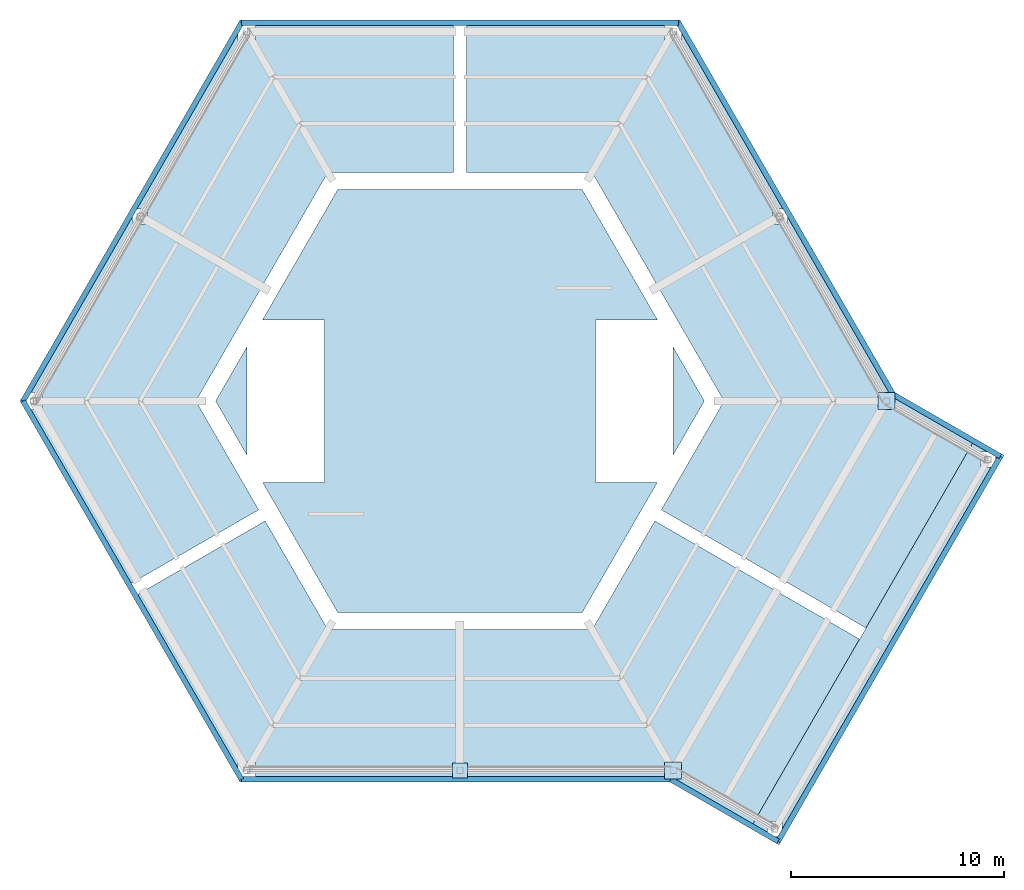
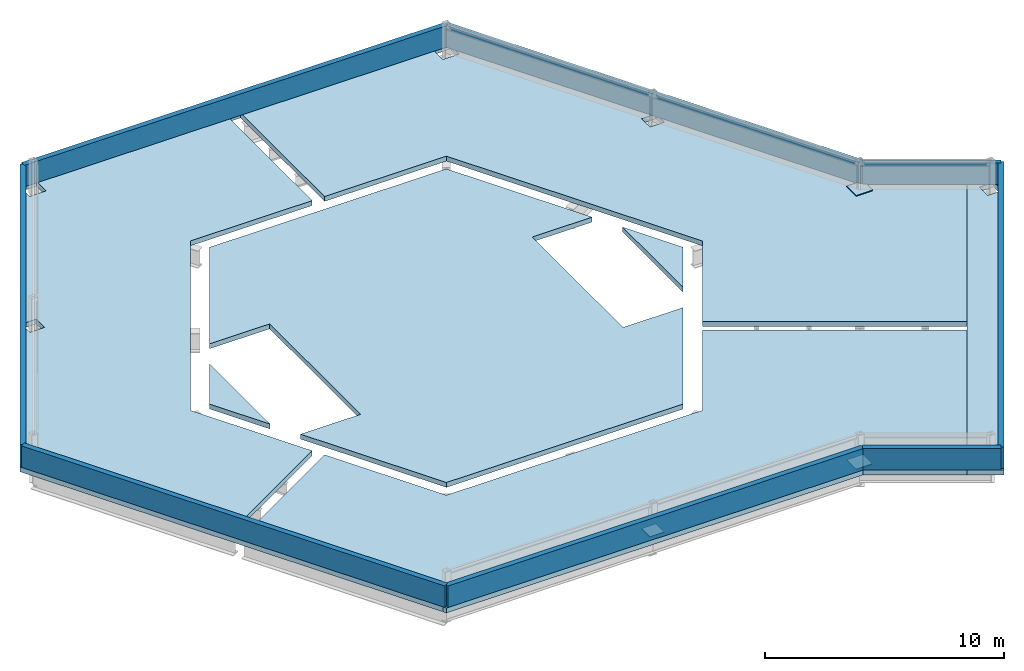
# One storey, part 5 of 6: 8 walls, 5 slabs, 3 plates.
"""IFC4 building model written with IfcOpenShell, lengths in metres."""

from ifc_helpers import new_model, si_unit, direction, frame, frame_2d, origin, origin_2d, place, context, subcontext, project, spatial, polyline, rectangle, outline, extrude, material, layer, layer_set, type_object, element, save


model = new_model("IFC4")

# Units and contexts
model_context = context("Model", 3, precision=1e-05, world=origin(), true_north=direction((0.0, 1.0)))
body_context = subcontext(model_context, "Body", "Model", "MODEL_VIEW")
ifc_project = project(units=[si_unit("LENGTHUNIT", "METRE"), si_unit("AREAUNIT", "SQUARE_METRE"), si_unit("VOLUMEUNIT", "CUBIC_METRE"), si_unit("PLANEANGLEUNIT", "RADIAN"), si_unit("MASSUNIT", "GRAM", prefix="KILO")], contexts=[model_context])

# Site, building, storey
site_placement = place(None, origin())
site = spatial("IfcSite", under=ifc_project, at=site_placement, CompositionType="ELEMENT")
building_placement = place(site_placement, origin())
building = spatial("IfcBuilding", under=site, at=building_placement, Name="Kasaneha Research Tower", CompositionType="ELEMENT")
storey_placement = place(building_placement, frame((0.0, 0.0, 307.5)))
storey = spatial("IfcBuildingStorey", under=building, at=storey_placement, Name="RF", CompositionType="ELEMENT", Elevation=307.5)

# Plates
ifc_material_1 = material(Name="Steel SN490C", Category="steel")
ifc_layer_1 = layer(ifc_material_1, 0.0400390625)
ifc_layer_set_1 = layer_set([ifc_layer_1], Name="Column cap plate 40")
plate_type = type_object("IfcPlateType", Name="Column cap plate 40", PredefinedType="USERDEFINED", material=ifc_layer_set_1)
for number, where, z_axis, x_axis, name in (
    (1, (20.0, 0.0, 0.0), (0.0, 0.0, 1.0), (1.0, 0.0, 0.0), "Column cap plate V0 L76"),
    (2, (10.0, -17.320556640625, 0.0), (0.0, 0.0, 1.0), (1.0, 0.0, 0.0), "Column cap plate V5 L76"),
):
    element("IfcPlate", number, at=place(storey_placement, frame(where, z_axis=z_axis, x_axis=x_axis)), inside=storey, type_object=plate_type, Name=name, ObjectType="PLATE", PredefinedType="USERDEFINED", context=body_context, shape_type="SweptSolid", body=[
        extrude(rectangle(XDim=0.800048828125, YDim=0.800048828125, at=origin_2d()), origin(), (0.0, 0.0, 1.0), 0.0400390625),
    ])
plate_placement = place(storey_placement, frame((0.0, -17.320556640625, 0.0), z_axis=(0.0, 0.0, 1.0), x_axis=(1.0, 0.0, 0.0)))
element("IfcPlate", 3, at=plate_placement, inside=storey, type_object=plate_type, Name="Column cap plate M270 L76", ObjectType="PLATE", PredefinedType="USERDEFINED", context=body_context, shape_type="SweptSolid", body=[
    extrude(rectangle(XDim=0.699951171875, YDim=0.699951171875, at=origin_2d()), origin(), (0.0, 0.0, 1.0), 0.0400390625),
])

# Slabs
ifc_material_2 = material(Name="Concrete Fc24", Category="concrete")
ifc_layer_2 = layer(ifc_material_2, 0.25)
ifc_layer_set_2 = layer_set([ifc_layer_2], Name="Roof slab 250")
slab_type = type_object("IfcSlabType", Name="Roof slab 250", PredefinedType="ROOF", material=ifc_layer_set_2)
slab_1_placement = place(storey_placement, frame((0.0, 0.0, -0.25)))
element("IfcSlab", 4, at=slab_1_placement, inside=storey, type_object=slab_type, Name="Roof slab RF 1", PredefinedType="ROOF", context=body_context, shape_type="SweptSolid", body=[
    extrude(outline(polyline([(-10.317626953125, -17.87060546875), (-10.3974609375, -17.732177734375), (-10.385986328125, -17.720703125), (-9.599853515625, -17.720703125), (-9.599853515625, -16.92041015625), (-10.400146484375, -16.92041015625), (-10.400146484375, -17.70654296875), (-10.40771484375, -17.714111328125), (-20.635009765625, 0.0), (-20.40771484375, 0.3935546875), (-20.400146484375, 0.385986328125), (-20.400146484375, -0.400146484375), (-19.599853515625, -0.400146484375), (-19.599853515625, 0.400146484375), (-20.385986328125, 0.400146484375), (-20.3974609375, 0.41162109375), (-10.40771484375, 17.714111328125), (-10.400146484375, 17.70654296875), (-10.400146484375, 16.92041015625), (-9.599853515625, 16.92041015625), (-9.599853515625, 17.720703125), (-10.385986328125, 17.720703125), (-10.3974609375, 17.732177734375), (-10.317626953125, 17.87060546875), (10.317626953125, 17.87060546875), (10.3974609375, 17.732177734375), (10.385986328125, 17.720703125), (9.599853515625, 17.720703125), (9.599853515625, 16.92041015625), (10.400146484375, 16.92041015625), (10.400146484375, 17.70654296875), (10.40771484375, 17.714111328125), (20.3974609375, 0.41162109375), (20.385986328125, 0.400146484375), (19.599853515625, 0.400146484375), (19.599853515625, -0.400146484375), (20.400146484375, -0.400146484375), (20.400146484375, 0.385986328125), (20.41162109375, 0.3974609375), (24.163330078125, -1.768798828125), (19.038330078125, -10.6455078125), (9.438232421875, -5.102783203125), (12.38427734375, 0.0), (6.192138671875, 10.72509765625), (0.300048828125, 10.72509765625), (0.300048828125, 17.7705078125), (-0.300048828125, 17.7705078125), (-0.300048828125, 10.72509765625), (-6.192138671875, 10.72509765625), (-12.38427734375, 0.0), (-9.438232421875, -5.102783203125), (-15.539794921875, -8.62548828125), (-15.23974609375, -9.14501953125), (-9.13818359375, -5.622314453125), (-6.192138671875, -10.72509765625), (6.192138671875, -10.72509765625), (9.13818359375, -5.622314453125), (18.738525390625, -11.1650390625), (13.613525390625, -20.041748046875), (9.8525390625, -17.87060546875), (-10.317626953125, -17.87060546875)]), holes=[polyline([(0.35009765625, -17.67041015625), (0.35009765625, -16.970458984375), (-0.35009765625, -16.970458984375), (-0.35009765625, -17.67041015625), (0.35009765625, -17.67041015625)]), polyline([(-15.35009765625, 8.310302734375), (-14.64990234375, 8.310302734375), (-14.64990234375, 9.01025390625), (-15.35009765625, 9.01025390625), (-15.35009765625, 8.310302734375)]), polyline([(9.60009765625, -17.720458984375), (10.39990234375, -17.720458984375), (10.39990234375, -16.92041015625), (9.60009765625, -16.92041015625), (9.60009765625, -17.720458984375)]), polyline([(14.64990234375, 8.310302734375), (15.35009765625, 8.310302734375), (15.35009765625, 9.01025390625), (14.64990234375, 9.01025390625), (14.64990234375, 8.310302734375)])]), origin(), (0.0, 0.0, 1.0), 0.25),
])
slab_2_placement = place(storey_placement, frame((0.0, 0.0, -0.25)))
element("IfcSlab", 5, at=slab_2_placement, inside=storey, type_object=slab_type, Name="Roof slab RF 2", PredefinedType="ROOF", context=body_context, shape_type="SweptSolid", body=[
    extrude(outline(polyline([(25.514404296875, -2.548583984375), (14.96435546875, -20.82177734375), (13.613525390625, -20.041748046875), (18.738525390625, -11.1650390625), (18.7470703125, -11.170166015625), (19.047119140625, -10.650390625), (19.038330078125, -10.6455078125), (24.163330078125, -1.768798828125), (25.514404296875, -2.548583984375)]), holes=[polyline([(14.4130859375, -20.42041015625), (15.113037109375, -20.42041015625), (15.113037109375, -19.720458984375), (14.4130859375, -19.720458984375), (14.4130859375, -20.42041015625)]), polyline([(24.4130859375, -3.10009765625), (25.113037109375, -3.10009765625), (25.113037109375, -2.39990234375), (24.4130859375, -2.39990234375), (24.4130859375, -3.10009765625)])]), origin(), (0.0, 0.0, 1.0), 0.25),
])
slab_3_placement = place(storey_placement, frame((0.0, 0.0, -0.25)))
element("IfcSlab", 6, at=slab_3_placement, inside=storey, type_object=slab_type, Name="Core slab RF", PredefinedType="ROOF", context=body_context, shape_type="SweptSolid", body=[
    extrude(outline(polyline([(-9.993896484375, 2.540283203125), (-9.993896484375, -2.540283203125), (-11.46044921875, 0.0), (-9.993896484375, 2.540283203125)])), origin(), (0.0, 0.0, 1.0), 0.25),
])
slab_4_placement = place(storey_placement, frame((0.0, 0.0, -0.25)))
element("IfcSlab", 7, at=slab_4_placement, inside=storey, type_object=slab_type, Name="Core slab RF", PredefinedType="ROOF", context=body_context, shape_type="SweptSolid", body=[
    extrude(outline(polyline([(5.730224609375, 9.925048828125), (9.25927734375, 3.812255859375), (6.35009765625, 3.812255859375), (6.35009765625, -3.812255859375), (9.25927734375, -3.812255859375), (5.730224609375, -9.925048828125), (-5.730224609375, -9.925048828125), (-9.25927734375, -3.812255859375), (-6.35009765625, -3.812255859375), (-6.35009765625, 3.812255859375), (-9.25927734375, 3.812255859375), (-5.730224609375, 9.925048828125), (5.730224609375, 9.925048828125)])), origin(), (0.0, 0.0, 1.0), 0.25),
])
slab_5_placement = place(storey_placement, frame((0.0, 0.0, -0.25)))
element("IfcSlab", 8, at=slab_5_placement, inside=storey, type_object=slab_type, Name="Core slab RF", PredefinedType="ROOF", context=body_context, shape_type="SweptSolid", body=[
    extrude(outline(polyline([(9.993896484375, -2.540283203125), (9.993896484375, 2.540283203125), (11.46044921875, 0.0), (9.993896484375, -2.540283203125)])), origin(), (0.0, 0.0, 1.0), 0.25),
])

# Walls
ifc_material_3 = material(Name="Concrete Fc36", Category="concrete")
ifc_layer_3 = layer(ifc_material_3, 0.25)
ifc_layer_set_3 = layer_set([ifc_layer_3], Name="Parapet 250")
wall_type = type_object("IfcWallType", Name="Parapet 250", PredefinedType="PARAPET", material=ifc_layer_set_3)
wall_1_placement = place(storey_placement, frame((25.34375, -2.594482421875, 0.0), z_axis=(0.0, 0.0, 1.0), x_axis=(-0.500001528868, -0.86602452109, 0.0)))
element("IfcWall", 9, at=wall_1_placement, inside=storey, type_object=wall_type, Name="Roof parapet 1", PredefinedType="PARAPET", context=body_context, shape_type="SweptSolid", body=[
    extrude(rectangle(XDim=20.85009765625, YDim=0.25, at=frame_2d((10.425048828125, 0.0))), origin(), (0.0, 0.0, 1.0), 1.10009765625),
])
wall_2_placement = place(storey_placement, frame((14.918701171875, -20.651123046875, 0.0), z_axis=(0.0, 0.0, 1.0), x_axis=(-0.866023968381, 0.500002486184, 0.0)))
element("IfcWall", 10, at=wall_2_placement, inside=storey, type_object=wall_type, Name="Roof parapet 2", PredefinedType="PARAPET", context=body_context, shape_type="SweptSolid", body=[
    extrude(rectangle(XDim=5.81103515625, YDim=0.25, at=frame_2d((2.905517578125, 0.0))), origin(), (0.0, 0.0, 1.0), 1.10009765625),
])
wall_3_placement = place(storey_placement, frame((9.88623046875, -17.74560546875, 0.0), z_axis=(0.0, 0.0, 1.0), x_axis=(-1.0, 0.0, 0.0)))
element("IfcWall", 11, at=wall_3_placement, inside=storey, type_object=wall_type, Name="Roof parapet 3", PredefinedType="PARAPET", context=body_context, shape_type="SweptSolid", body=[
    extrude(rectangle(XDim=20.131591796875, YDim=0.25, at=frame_2d((10.06591796875, 0.0))), origin(), (0.0, 0.0, 1.0), 1.10009765625),
])
for number, where, z_axis, x_axis, name in (
    (12, (-10.245361328125, -17.74560546875, 0.0), (0.0, 0.0, 1.0), (-0.499997483035, 0.86602685695, 0.0), "Roof parapet 4"),
    (13, (-20.49072265625, 0.0, 0.0), (0.0, 0.0, 1.0), (0.499997483035, 0.86602685695, 0.0), "Roof parapet 5"),
    (14, (-10.245361328125, 17.74560546875, 0.0), (0.0, 0.0, 1.0), (1.0, 0.0, 0.0), "Roof parapet 6"),
):
    element("IfcWall", number, at=place(storey_placement, frame(where, z_axis=z_axis, x_axis=x_axis)), inside=storey, type_object=wall_type, Name=name, PredefinedType="PARAPET", context=body_context, shape_type="SweptSolid", body=[
        extrude(rectangle(XDim=20.49072265625, YDim=0.25, at=frame_2d((10.245361328125, 0.0))), origin(), (0.0, 0.0, 1.0), 1.10009765625),
    ])
wall_4_placement = place(storey_placement, frame((10.245361328125, 17.74560546875, 0.0), z_axis=(0.0, 0.0, 1.0), x_axis=(0.499993292812, -0.866029276147, 0.0)))
element("IfcWall", 15, at=wall_4_placement, inside=storey, type_object=wall_type, Name="Roof parapet 7", PredefinedType="PARAPET", context=body_context, shape_type="SweptSolid", body=[
    extrude(rectangle(XDim=20.131591796875, YDim=0.25, at=frame_2d((10.06591796875, 0.0))), origin(), (0.0, 0.0, 1.0), 1.10009765625),
])
wall_5_placement = place(storey_placement, frame((20.31103515625, 0.31103515625, 0.0), z_axis=(0.0, 0.0, 1.0), x_axis=(0.866034471283, -0.499984294302, 0.0)))
element("IfcWall", 16, at=wall_5_placement, inside=storey, type_object=wall_type, Name="Roof parapet 8", PredefinedType="PARAPET", context=body_context, shape_type="SweptSolid", body=[
    extrude(rectangle(XDim=5.811279296875, YDim=0.25, at=frame_2d((2.90576171875, 0.0))), origin(), (0.0, 0.0, 1.0), 1.10009765625),
])

save(model, "model.ifc")
